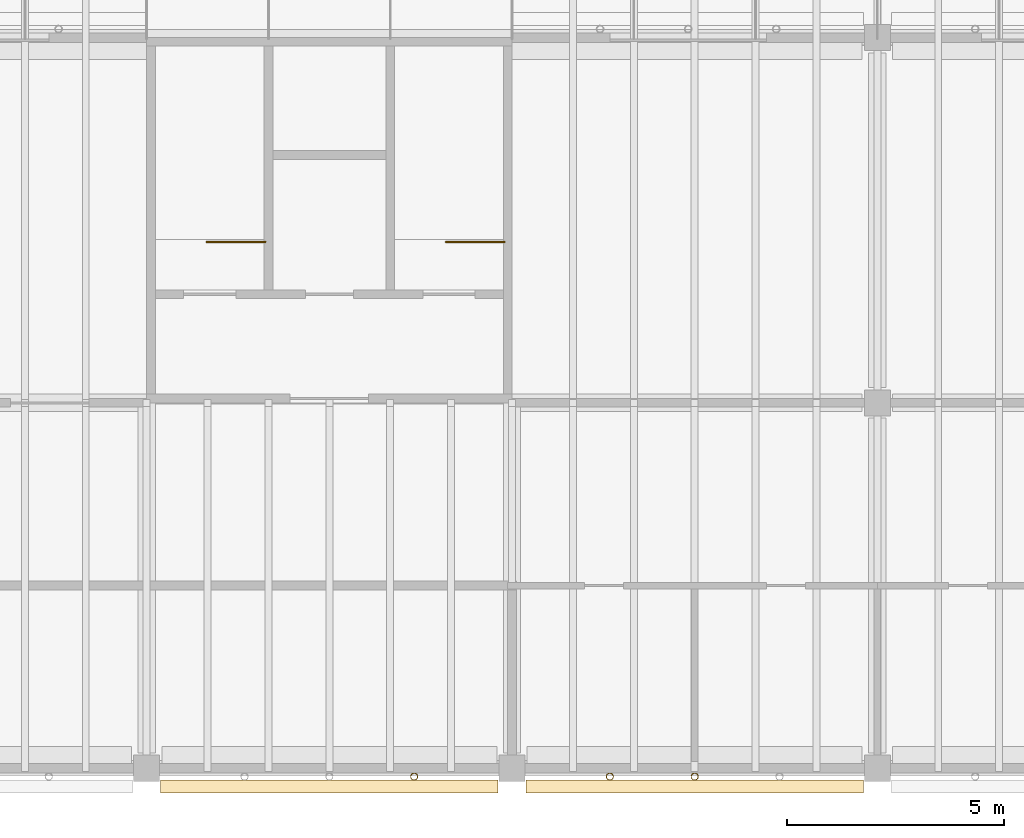
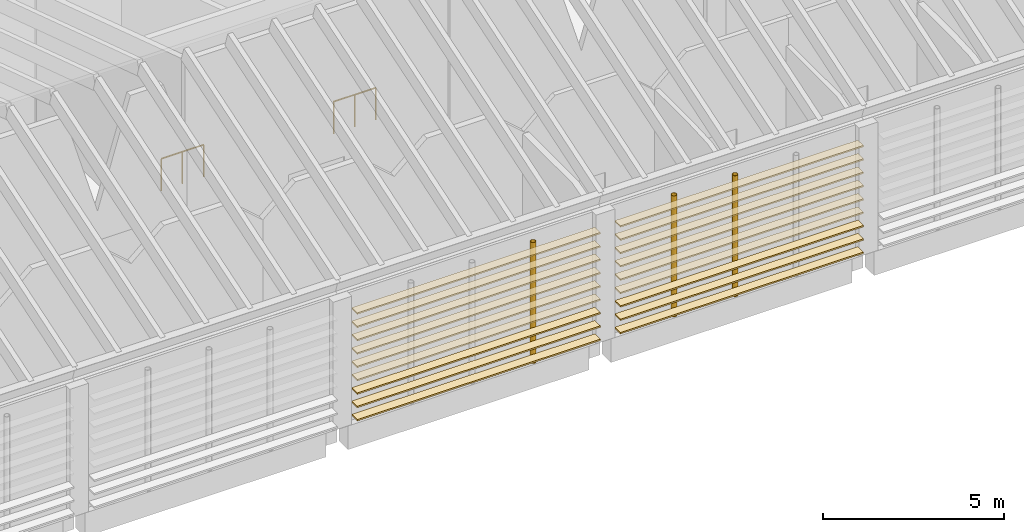
# One storey, part 41 of 59: 18 coverings, 3 shading devices, 2 railings.
"""IFC4 building model written with IfcOpenShell, lengths in metres."""

from ifc_helpers import new_model, si_unit, direction, frame, origin, origin_2d, place, context, subcontext, project, spatial, rectangle, circle, hollow_circle, extrude, material, material_profile, profile_set, type_object, element, save


model = new_model("IFC4")

# Units and contexts
model_context = context("Model", 3, precision=1e-05, world=origin(), true_north=direction((0.0, 1.0)))
body_context = subcontext(model_context, "Body", "Model", "MODEL_VIEW")
ifc_project = project(units=[si_unit("LENGTHUNIT", "METRE"), si_unit("AREAUNIT", "SQUARE_METRE"), si_unit("VOLUMEUNIT", "CUBIC_METRE"), si_unit("PLANEANGLEUNIT", "RADIAN"), si_unit("MASSUNIT", "GRAM", prefix="KILO")], contexts=[model_context])

# Site, building, storey
site_placement = place(None, origin())
site = spatial("IfcSite", under=ifc_project, at=site_placement, CompositionType="ELEMENT")
building_placement = place(site_placement, origin())
building = spatial("IfcBuilding", under=site, at=building_placement, Name="Almond Square Museum", CompositionType="ELEMENT")
storey_placement = place(building_placement, frame((0.0, 0.0, 25.0)))
storey = spatial("IfcBuildingStorey", under=building, at=storey_placement, Name="L04", CompositionType="ELEMENT", Elevation=25.0)

# Shading devices
ifc_material_1 = material(Name="Structural steel S355", Category="steel")
ifc_material_profile_1 = material_profile(ifc_material_1, hollow_circle(Radius=0.084228515625, WallThickness=0.008056640625, at=origin_2d()))
ifc_profile_set_1 = profile_set([ifc_material_profile_1], Name="Structural steel S355")
shading_device_type = type_object("IfcShadingDeviceType", Name="Louvre post CHS 168.3 x 8", PredefinedType="USERDEFINED", material=ifc_profile_set_1)
for number, where, z_axis, x_axis, name in (
    (1, (62.550048828125, -0.194091796875, 0.0), (0.0, 0.0, 1.0), (1.0, 0.0, 0.0), "Louvre screen post"),
    (2, (67.050048828125, -0.194091796875, 0.0), (0.0, 0.0, 1.0), (1.0, 0.0, 0.0), "Louvre screen post"),
    (3, (69.0, -0.194091796875, 0.0), (0.0, 0.0, 1.0), (1.0, 0.0, 0.0), "Louvre screen post"),
):
    element("IfcShadingDevice", number, at=place(storey_placement, frame(where, z_axis=z_axis, x_axis=x_axis)), inside=storey, type_object=shading_device_type, Name=name, ObjectType="POST", PredefinedType="USERDEFINED", context=body_context, shape_type="SweptSolid", body=[
        extrude(hollow_circle(Radius=0.084228515625, WallThickness=0.008056640625, at=origin_2d()), origin(), (0.0, 0.0, 1.0), 4.08447265625),
    ])

# Coverings
ifc_material_2 = material(Name="Cedar timber louvre board", Category="wood")
ifc_material_profile_2 = material_profile(ifc_material_2, rectangle(XDim=0.300048828125, YDim=0.050048828125, at=origin_2d()))
ifc_profile_set_2 = profile_set([ifc_material_profile_2], Name="Cedar timber louvre board")
covering_type = type_object("IfcCoveringType", Name="Louvre screen board 300 x 50", PredefinedType="CLADDING", material=ifc_profile_set_2)
for number, where, z_axis, x_axis, name in (
    (4, (56.719970703125, -0.42431640625, 0.300048828125), (1.0, 0.0, 0.0), (0.0, 1.0, 0.0), "Louvre screen board"),
    (5, (56.719970703125, -0.42431640625, 0.75), (1.0, 0.0, 0.0), (0.0, 1.0, 0.0), "Louvre screen board"),
    (6, (56.719970703125, -0.42431640625, 1.199951171875), (1.0, 0.0, 0.0), (0.0, 1.0, 0.0), "Louvre screen board"),
    (7, (56.719970703125, -0.42431640625, 1.64990234375), (1.0, 0.0, 0.0), (0.0, 1.0, 0.0), "Louvre screen board"),
    (8, (56.719970703125, -0.42431640625, 2.10009765625), (1.0, 0.0, 0.0), (0.0, 1.0, 0.0), "Louvre screen board"),
    (9, (56.719970703125, -0.42431640625, 2.550048828125), (1.0, 0.0, 0.0), (0.0, 1.0, 0.0), "Louvre screen board"),
    (10, (56.719970703125, -0.42431640625, 3.0), (1.0, 0.0, 0.0), (0.0, 1.0, 0.0), "Louvre screen board"),
    (11, (56.719970703125, -0.42431640625, 3.449951171875), (1.0, 0.0, 0.0), (0.0, 1.0, 0.0), "Louvre screen board"),
    (12, (56.719970703125, -0.42431640625, 3.89990234375), (1.0, 0.0, 0.0), (0.0, 1.0, 0.0), "Louvre screen board"),
):
    element("IfcCovering", number, at=place(storey_placement, frame(where, z_axis=z_axis, x_axis=x_axis)), inside=storey, type_object=covering_type, Name=name, PredefinedType="CLADDING", context=body_context, shape_type="SweptSolid", body=[
        extrude(rectangle(XDim=0.300048828125, YDim=0.050048828125, at=origin_2d()), origin(), (0.0, 0.0, 1.0), 7.760009765625),
    ])
for number, where, z_axis, x_axis, name in (
    (13, (65.1201171875, -0.42431640625, 0.300048828125), (1.0, 0.0, 0.0), (0.0, 1.0, 0.0), "Louvre screen board"),
    (14, (65.1201171875, -0.42431640625, 0.75), (1.0, 0.0, 0.0), (0.0, 1.0, 0.0), "Louvre screen board"),
    (15, (65.1201171875, -0.42431640625, 1.199951171875), (1.0, 0.0, 0.0), (0.0, 1.0, 0.0), "Louvre screen board"),
    (16, (65.1201171875, -0.42431640625, 1.64990234375), (1.0, 0.0, 0.0), (0.0, 1.0, 0.0), "Louvre screen board"),
    (17, (65.1201171875, -0.42431640625, 2.10009765625), (1.0, 0.0, 0.0), (0.0, 1.0, 0.0), "Louvre screen board"),
    (18, (65.1201171875, -0.42431640625, 2.550048828125), (1.0, 0.0, 0.0), (0.0, 1.0, 0.0), "Louvre screen board"),
    (19, (65.1201171875, -0.42431640625, 3.0), (1.0, 0.0, 0.0), (0.0, 1.0, 0.0), "Louvre screen board"),
    (20, (65.1201171875, -0.42431640625, 3.449951171875), (1.0, 0.0, 0.0), (0.0, 1.0, 0.0), "Louvre screen board"),
    (21, (65.1201171875, -0.42431640625, 3.89990234375), (1.0, 0.0, 0.0), (0.0, 1.0, 0.0), "Louvre screen board"),
):
    element("IfcCovering", number, at=place(storey_placement, frame(where, z_axis=z_axis, x_axis=x_axis)), inside=storey, type_object=covering_type, Name=name, PredefinedType="CLADDING", context=body_context, shape_type="SweptSolid", body=[
        extrude(rectangle(XDim=0.300048828125, YDim=0.050048828125, at=origin_2d()), origin(), (0.0, 0.0, 1.0), 7.759765625),
    ])

# Railings
ifc_material_3 = material(Name="Stainless steel and laminated glass", Category="steel")
railing_type = type_object("IfcRailingType", Name="Stair guard 1100 steel and glass", PredefinedType="GUARDRAIL", material=ifc_material_3)
for number, where, name in (
    (22, (59.1298828125, 12.10009765625, 0.0), "L04 ST-29 top well guard 1"),
    (23, (64.6298828125, 12.10009765625, 0.0), "L04 ST-30 top well guard 1"),
):
    element("IfcRailing", number, at=place(storey_placement, frame(where)), inside=storey, type_object=railing_type, Name=name, PredefinedType="GUARDRAIL", context=body_context, shape_type="SweptSolid", body=[
        extrude(circle(Radius=0.02392578125, at=origin_2d()), frame((0.0, 0.0, 1.076171875), z_axis=(-1.0, 0.0, 0.0), x_axis=(0.0, -1.0, 0.0)), (0.0, 0.0, 1.0), 1.349853515625),
        extrude(circle(Radius=0.02099609375, at=origin_2d()), origin(), (0.0, 0.0, 1.0), 1.052001953125),
        extrude(circle(Radius=0.02099609375, at=origin_2d()), frame((-0.6748046875, 0.0, 0.0)), (0.0, 0.0, 1.0), 1.052001953125),
        extrude(circle(Radius=0.02099609375, at=origin_2d()), frame((-1.349853515625, 0.0, 0.0)), (0.0, 0.0, 1.0), 1.052001953125),
    ])

save(model, "model.ifc")
